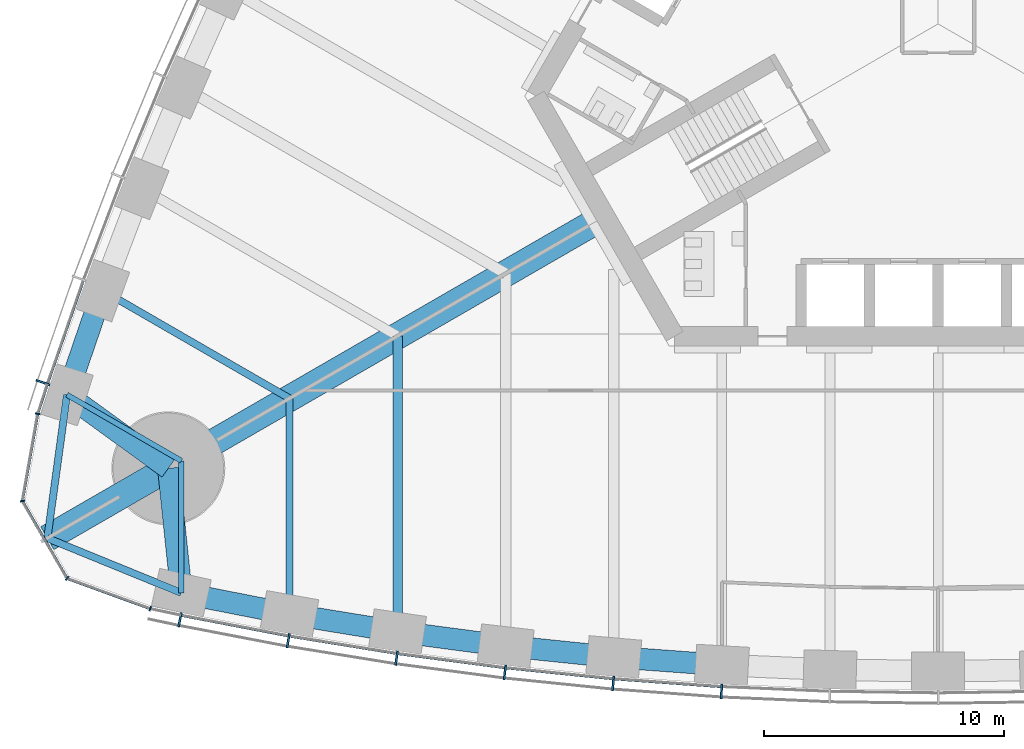
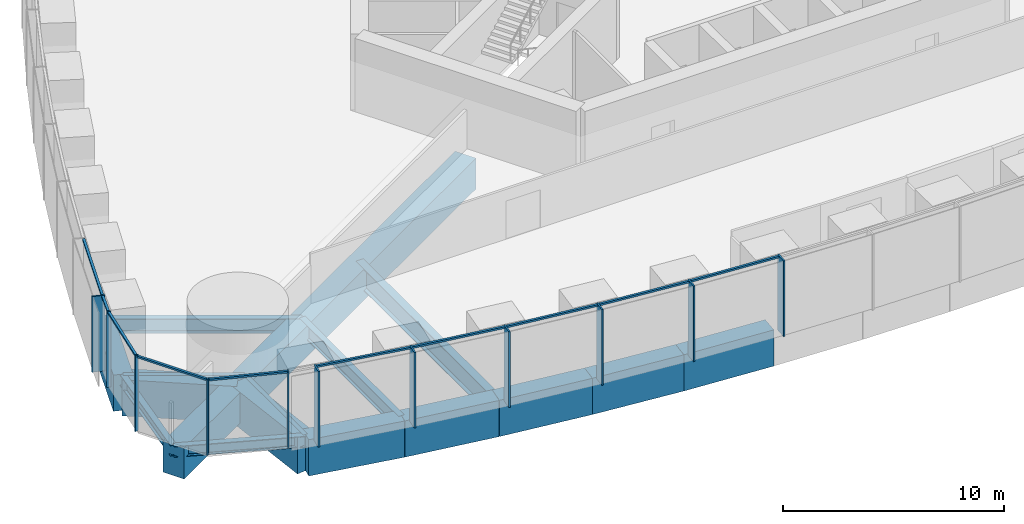
# One storey, part 2 of 19: 21 members, 17 beams, 3 elements without a shape of their own.
"""IFC4 building model written with IfcOpenShell, lengths in metres."""

from ifc_helpers import new_model, si_unit, direction, frame, origin, origin_2d, place, context, subcontext, project, spatial, rectangle, i_section, extrude, material, material_profile, profile_set, type_object, element, aggregate, save


model = new_model("IFC4")

# Units and contexts
model_context = context("Model", 3, precision=1e-05, world=origin(), true_north=direction((0.0, 1.0)))
body_context = subcontext(model_context, "Body", "Model", "MODEL_VIEW")
ifc_project = project(units=[si_unit("LENGTHUNIT", "METRE"), si_unit("AREAUNIT", "SQUARE_METRE"), si_unit("VOLUMEUNIT", "CUBIC_METRE"), si_unit("PLANEANGLEUNIT", "RADIAN"), si_unit("MASSUNIT", "GRAM", prefix="KILO")], contexts=[model_context])

# Site, building, storey
site_placement = place(None, origin())
site = spatial("IfcSite", under=ifc_project, at=site_placement, CompositionType="ELEMENT")
building_placement = place(site_placement, origin())
building = spatial("IfcBuilding", under=site, at=building_placement, Name="Trefoil Bronze Tower", CompositionType="ELEMENT")
storey_placement = place(building_placement, frame((0.0, 0.0, 83.699951171875)))
storey = spatial("IfcBuildingStorey", under=building, at=storey_placement, Name="L19", CompositionType="ELEMENT", Elevation=83.699951171875)

# Curtain wall, members
ifc_material_1 = material(Name="Tinted solar-control glass", Category="glass")
curtain_wall_type_1 = type_object("IfcCurtainWallType", Name="Bronze office curtain wall", PredefinedType="USERDEFINED", material=ifc_material_1)
curtain_wall_1_placement = place(storey_placement, origin())
curtain_wall_1 = element("IfcCurtainWall", 1, at=curtain_wall_1_placement, inside=storey, type_object=curtain_wall_type_1, Name="CW-A L19 F1", ObjectType="CURTAIN WALL", PredefinedType="USERDEFINED")
ifc_material_2 = material(Name="Bronze-finish aluminium", Category="aluminium")
ifc_material_profile_1 = material_profile(ifc_material_2, rectangle(XDim=0.60009765625, YDim=0.080078125, at=origin_2d()), Name="CW-A mullion")
ifc_profile_set_1 = profile_set([ifc_material_profile_1], Name="Bronze-finish aluminium")
member_type_1 = type_object("IfcMemberType", Name="Bronze office curtain wall mullion", PredefinedType="MULLION", material=ifc_profile_set_1)
member_1_placement = place(storey_placement, frame((-31.559326171875, -24.81005859375, 0.0), z_axis=(0.0, 0.0, 1.0), x_axis=(0.197910006829, 0.98022019424, 0.0)))
member_1 = element("IfcMember", 2, at=member_1_placement, type_object=member_type_1, Name="CW-A L19 F1 mullion 2", PredefinedType="MULLION", context=body_context, shape_type="SweptSolid", body=[
    extrude(rectangle(XDim=0.60009765625, YDim=0.080078125, at=origin_2d()), origin(), (0.0, 0.0, 1.0), 4.179931640625),
])
member_2_placement = place(storey_placement, frame((-27.05224609375, -25.67578125, 0.0), z_axis=(0.0, 0.0, 1.0), x_axis=(0.174131146426, 0.984722470468, 0.0)))
member_2 = element("IfcMember", 3, at=member_2_placement, type_object=member_type_1, Name="CW-A L19 F1 mullion 3", PredefinedType="MULLION", context=body_context, shape_type="SweptSolid", body=[
    extrude(rectangle(XDim=0.60009765625, YDim=0.080078125, at=origin_2d()), origin(), (0.0, 0.0, 1.0), 4.179931640625),
])
member_3_placement = place(storey_placement, frame((-22.54345703125, -26.40478515625, 0.0), z_axis=(0.0, 0.0, 1.0), x_axis=(0.145108990094, 0.989415676546, 0.0)))
member_3 = element("IfcMember", 4, at=member_3_placement, type_object=member_type_1, Name="CW-A L19 F1 mullion 4", PredefinedType="MULLION", context=body_context, shape_type="SweptSolid", body=[
    extrude(rectangle(XDim=0.60009765625, YDim=0.080078125, at=origin_2d()), origin(), (0.0, 0.0, 1.0), 4.179931640625),
])
member_4_placement = place(storey_placement, frame((-18.034912109375, -26.99853515625, 0.0), z_axis=(0.0, 0.0, 1.0), x_axis=(0.116086999973, 0.993239048989, 0.0)))
member_4 = element("IfcMember", 5, at=member_4_placement, type_object=member_type_1, Name="CW-A L19 F1 mullion 5", PredefinedType="MULLION", context=body_context, shape_type="SweptSolid", body=[
    extrude(rectangle(XDim=0.60009765625, YDim=0.080078125, at=origin_2d()), origin(), (0.0, 0.0, 1.0), 4.179931640625),
])
member_5_placement = place(storey_placement, frame((-13.526123046875, -27.458984375, 0.0), z_axis=(0.0, 0.0, 1.0), x_axis=(0.087065139456, 0.996202620701, 0.0)))
member_5 = element("IfcMember", 6, at=member_5_placement, type_object=member_type_1, Name="CW-A L19 F1 mullion 6", PredefinedType="MULLION", context=body_context, shape_type="SweptSolid", body=[
    extrude(rectangle(XDim=0.60009765625, YDim=0.080078125, at=origin_2d()), origin(), (0.0, 0.0, 1.0), 4.179931640625),
])
member_6_placement = place(storey_placement, frame((-9.017333984375, -27.786865234375, 0.0), z_axis=(0.0, 0.0, 1.0), x_axis=(0.058043374207, 0.998314062162, 0.0)))
member_6 = element("IfcMember", 7, at=member_6_placement, type_object=member_type_1, Name="CW-A L19 F1 mullion 7", PredefinedType="MULLION", context=body_context, shape_type="SweptSolid", body=[
    extrude(rectangle(XDim=0.60009765625, YDim=0.080078125, at=origin_2d()), origin(), (0.0, 0.0, 1.0), 4.179931640625),
])

# Curtain wall, member
curtain_wall_2_placement = place(storey_placement, origin())
curtain_wall_2 = element("IfcCurtainWall", 8, at=curtain_wall_2_placement, inside=storey, type_object=curtain_wall_type_1, Name="CW-A L19 F3", ObjectType="CURTAIN WALL", PredefinedType="USERDEFINED")
member_7_placement = place(storey_placement, frame((-37.265869140625, -14.92626953125, 0.0), z_axis=(0.0, 0.0, 1.0), x_axis=(0.947850592929, -0.318715003543, 0.0)))
member_7 = element("IfcMember", 9, at=member_7_placement, type_object=member_type_1, Name="CW-A L19 F3 mullion 16", PredefinedType="MULLION", context=body_context, shape_type="SweptSolid", body=[
    extrude(rectangle(XDim=0.60009765625, YDim=0.080078125, at=origin_2d()), origin(), (0.0, 0.0, 1.0), 4.179931640625),
])

# Member
ifc_material_3 = material(Name="Bronze-finish aluminium", Category="aluminium")
ifc_material_profile_2 = material_profile(ifc_material_3, rectangle(XDim=0.1201171875, YDim=0.10009765625, at=origin_2d()), Name="CW-A transom")
ifc_profile_set_2 = profile_set([ifc_material_profile_2], Name="Bronze-finish aluminium")
member_type_2 = type_object("IfcMemberType", Name="Bronze office curtain wall transom", PredefinedType="USERDEFINED", material=ifc_profile_set_2)
member_8_placement = place(storey_placement, frame((-31.4794921875, -24.621826171875, 4.130126953125), z_axis=(0.982053603997, -0.188602011855, 0.0), x_axis=(0.188602011855, 0.982053603997, 0.0)))
member_8 = element("IfcMember", 10, at=member_8_placement, type_object=member_type_2, Name="CW-A L19 F1 transom 2", ObjectType="TRANSOM", PredefinedType="USERDEFINED", context=body_context, shape_type="SweptSolid", body=[
    extrude(rectangle(XDim=0.1201171875, YDim=0.10009765625, at=origin_2d()), origin(), (0.0, 0.0, 1.0), 4.502197265625),
])

member_9_placement = place(storey_placement, frame((-26.9765625, -25.4853515625, 4.130126953125), z_axis=(0.987179401487, -0.159614627398, 0.0), x_axis=(0.159614627398, 0.987179401487, 0.0)))
member_9 = element("IfcMember", 11, at=member_9_placement, type_object=member_type_2, Name="CW-A L19 F1 transom 3", ObjectType="TRANSOM", PredefinedType="USERDEFINED", context=body_context, shape_type="SweptSolid", body=[
    extrude(rectangle(XDim=0.1201171875, YDim=0.10009765625, at=origin_2d()), origin(), (0.0, 0.0, 1.0), 4.478515625),
])

member_10_placement = place(storey_placement, frame((-22.473388671875, -26.212158203125, 4.130126953125), z_axis=(0.991436581643, -0.13058906761, 0.0), x_axis=(0.13058906761, 0.991436581643, 0.0)))
member_10 = element("IfcMember", 12, at=member_10_placement, type_object=member_type_2, Name="CW-A L19 F1 transom 4", ObjectType="TRANSOM", PredefinedType="USERDEFINED", context=body_context, shape_type="SweptSolid", body=[
    extrude(rectangle(XDim=0.1201171875, YDim=0.10009765625, at=origin_2d()), origin(), (0.0, 0.0, 1.0), 4.458740234375),
])

member_11_placement = place(storey_placement, frame((-17.970458984375, -26.80419921875, 4.130126953125), z_axis=(0.994831650915, -0.101538102888, 0.0), x_axis=(0.101538102888, 0.994831650915, 0.0)))
member_11 = element("IfcMember", 13, at=member_11_placement, type_object=member_type_2, Name="CW-A L19 F1 transom 5", ObjectType="TRANSOM", PredefinedType="USERDEFINED", context=body_context, shape_type="SweptSolid", body=[
    extrude(rectangle(XDim=0.1201171875, YDim=0.10009765625, at=origin_2d()), origin(), (0.0, 0.0, 1.0), 4.443359375),
])

member_12_placement = place(storey_placement, frame((-13.46728515625, -27.2626953125, 4.130126953125), z_axis=(0.997364729945, -0.07255064067, 0.0), x_axis=(0.07255064067, 0.997364729945, 0.0)))
member_12 = element("IfcMember", 14, at=member_12_placement, type_object=member_type_2, Name="CW-A L19 F1 transom 6", ObjectType="TRANSOM", PredefinedType="USERDEFINED", context=body_context, shape_type="SweptSolid", body=[
    extrude(rectangle(XDim=0.1201171875, YDim=0.10009765625, at=origin_2d()), origin(), (0.0, 0.0, 1.0), 4.431884765625),
])

aggregate(curtain_wall_1, [member_1, member_2, member_3, member_4, member_5, member_6, member_8, member_9, member_10, member_11, member_12])

member_13_placement = place(storey_placement, frame((-35.587646484375, -10.697509765625, 4.130126953125), z_axis=(-0.327689728493, -0.944785394595, 0.0), x_axis=(0.944785394595, -0.327689728493, 0.0)))
member_13 = element("IfcMember", 15, at=member_13_placement, type_object=member_type_2, Name="CW-A L19 F3 transom 15", ObjectType="TRANSOM", PredefinedType="USERDEFINED", context=body_context, shape_type="SweptSolid", body=[
    extrude(rectangle(XDim=0.1201171875, YDim=0.10009765625, at=origin_2d()), origin(), (0.0, 0.0, 1.0), 4.502197265625),
])

member_14_placement = place(storey_placement, frame((-37.089111328125, -15.02880859375, 4.130126953125), z_axis=(-0.309624219148, -0.950859002648, 0.0), x_axis=(0.950859002648, -0.309624219148, 0.0)))
member_14 = element("IfcMember", 16, at=member_14_placement, type_object=member_type_2, Name="CW-A L19 F3 transom 16", ObjectType="TRANSOM", PredefinedType="USERDEFINED", context=body_context, shape_type="SweptSolid", body=[
    extrude(rectangle(XDim=0.1201171875, YDim=0.10009765625, at=origin_2d()), origin(), (0.0, 0.0, 1.0), 1.21044921875),
])

aggregate(curtain_wall_2, [member_7, member_13, member_14])

# Curtain wall, members
ifc_material_4 = material(Name="Tinted solar-control glass", Category="glass")
curtain_wall_type_2 = type_object("IfcCurtainWallType", Name="Bronze rounded corner curtain wall", PredefinedType="USERDEFINED", material=ifc_material_4)
curtain_wall_3_placement = place(storey_placement, origin())
curtain_wall_3 = element("IfcCurtainWall", 17, at=curtain_wall_3_placement, inside=storey, type_object=curtain_wall_type_2, Name="CW-B L19 K3", ObjectType="CURTAIN WALL", PredefinedType="USERDEFINED")
ifc_material_5 = material(Name="Bronze-finish aluminium", Category="aluminium")
ifc_material_profile_3 = material_profile(ifc_material_5, rectangle(XDim=0.199951171875, YDim=0.06005859375, at=origin_2d()), Name="CW-B mullion")
ifc_profile_set_3 = profile_set([ifc_material_profile_3], Name="Bronze-finish aluminium")
member_type_3 = type_object("IfcMemberType", Name="Bronze rounded corner curtain wall mullion", PredefinedType="MULLION", material=ifc_profile_set_3)
member_15_placement = place(storey_placement, frame((-37.479736328125, -16.2314453125, 0.0), z_axis=(0.0, 0.0, 1.0), x_axis=(0.984807753012, -0.173648177667, 0.0)))
member_15 = element("IfcMember", 18, at=member_15_placement, type_object=member_type_3, Name="CW-B L19 K3 mullion 1", PredefinedType="MULLION", context=body_context, shape_type="SweptSolid", body=[
    extrude(rectangle(XDim=0.199951171875, YDim=0.06005859375, at=origin_2d()), origin(), (0.0, 0.0, 1.0), 4.179931640625),
])
member_16_placement = place(storey_placement, frame((-38.11328125, -19.85888671875, 0.0), z_axis=(0.0, 0.0, 1.0), x_axis=(0.984807753012, 0.173648177667, 0.0)))
member_16 = element("IfcMember", 19, at=member_16_placement, type_object=member_type_3, Name="CW-B L19 K3 mullion 2", PredefinedType="MULLION", context=body_context, shape_type="SweptSolid", body=[
    extrude(rectangle(XDim=0.199951171875, YDim=0.06005859375, at=origin_2d()), origin(), (0.0, 0.0, 1.0), 4.179931640625),
])
member_17_placement = place(storey_placement, frame((-36.2548828125, -23.07763671875, 0.0), z_axis=(0.0, 0.0, 1.0), x_axis=(0.642787609687, 0.766044443119, 0.0)))
member_17 = element("IfcMember", 20, at=member_17_placement, type_object=member_type_3, Name="CW-B L19 K3 mullion 3", PredefinedType="MULLION", context=body_context, shape_type="SweptSolid", body=[
    extrude(rectangle(XDim=0.199951171875, YDim=0.06005859375, at=origin_2d()), origin(), (0.0, 0.0, 1.0), 4.179931640625),
])
member_18_placement = place(storey_placement, frame((-32.796630859375, -24.3427734375, 0.0), z_axis=(0.0, 0.0, 1.0), x_axis=(0.342020143326, 0.939692620786, 0.0)))
member_18 = element("IfcMember", 21, at=member_18_placement, type_object=member_type_3, Name="CW-B L19 K3 mullion 4", PredefinedType="MULLION", context=body_context, shape_type="SweptSolid", body=[
    extrude(rectangle(XDim=0.199951171875, YDim=0.06005859375, at=origin_2d()), origin(), (0.0, 0.0, 1.0), 4.179931640625),
])
ifc_material_6 = material(Name="Bronze-finish aluminium", Category="aluminium")
ifc_material_profile_4 = material_profile(ifc_material_6, rectangle(XDim=0.1201171875, YDim=0.10009765625, at=origin_2d()), Name="CW-B transom")
ifc_profile_set_4 = profile_set([ifc_material_profile_4], Name="Bronze-finish aluminium")
member_type_4 = type_object("IfcMemberType", Name="Bronze rounded corner curtain wall transom", PredefinedType="USERDEFINED", material=ifc_profile_set_4)
member_19_placement = place(storey_placement, frame((-37.48486328125, -16.260986328125, 4.130126953125), z_axis=(-0.17363783606, -0.984809576461, 0.0), x_axis=(0.984809576461, -0.17363783606, 0.0)))
member_19 = element("IfcMember", 22, at=member_19_placement, type_object=member_type_4, Name="CW-B L19 K3 transom 1", ObjectType="TRANSOM", PredefinedType="USERDEFINED", context=body_context, shape_type="SweptSolid", body=[
    extrude(rectangle(XDim=0.1201171875, YDim=0.10009765625, at=origin_2d()), origin(), (0.0, 0.0, 1.0), 3.588134765625),
])
member_20_placement = place(storey_placement, frame((-38.08642578125, -19.91748046875, 4.130126953125), z_axis=(0.500024788772, -0.866011091507, 0.0), x_axis=(0.866011091507, 0.500024788772, 0.0)))
member_20 = element("IfcMember", 23, at=member_20_placement, type_object=member_type_4, Name="CW-B L19 K3 transom 2", ObjectType="TRANSOM", PredefinedType="USERDEFINED", context=body_context, shape_type="SweptSolid", body=[
    extrude(rectangle(XDim=0.1201171875, YDim=0.10009765625, at=origin_2d()), origin(), (0.0, 0.0, 1.0), 3.588134765625),
])
member_21_placement = place(storey_placement, frame((-36.196533203125, -23.105224609375, 4.130126953125), z_axis=(0.939688092095, -0.342032585545, 0.0), x_axis=(0.342032585545, 0.939688092095, 0.0)))
member_21 = element("IfcMember", 24, at=member_21_placement, type_object=member_type_4, Name="CW-B L19 K3 transom 3", ObjectType="TRANSOM", PredefinedType="USERDEFINED", context=body_context, shape_type="SweptSolid", body=[
    extrude(rectangle(XDim=0.1201171875, YDim=0.10009765625, at=origin_2d()), origin(), (0.0, 0.0, 1.0), 3.588134765625),
])
aggregate(curtain_wall_3, [member_15, member_16, member_17, member_18, member_19, member_20, member_21])

# Beams
ifc_material_7 = material(Name="Concrete B80", Category="concrete")
ifc_material_profile_5 = material_profile(ifc_material_7, rectangle(XDim=1.10009765625, YDim=1.699951171875, at=origin_2d()), Name="RC 1100x1700")
ifc_profile_set_5 = profile_set([ifc_material_profile_5], Name="Concrete B80")
beam_type_1 = type_object("IfcBeamType", Name="Corner cantilever RC 1100x1700", PredefinedType="BEAM", material=ifc_profile_set_5)
beam_1_placement = place(storey_placement, frame((-32.04296875, -18.5, -1.050048828125), z_axis=(-0.866030348588, -0.499991435252, 0.0), x_axis=(0.499991435252, -0.866030348588, 0.0)))
element("IfcBeam", 25, at=beam_1_placement, inside=storey, type_object=beam_type_1, Name="Corner cantilever K3 L19", PredefinedType="BEAM", context=body_context, shape_type="SweptSolid", body=[
    extrude(rectangle(XDim=1.10009765625, YDim=1.699951171875, at=origin_2d()), origin(), (0.0, 0.0, 1.0), 5.81396484375),
])
ifc_material_8 = material(Name="Steel C355", Category="steel")
ifc_material_profile_6 = material_profile(ifc_material_8, i_section(OverallWidth=0.300048828125, OverallDepth=0.60009765625, WebThickness=0.015380859375, FlangeThickness=0.030029296875, FilletRadius=0.027099609375, at=origin_2d()), Name="HEB 600")
ifc_profile_set_6 = profile_set([ifc_material_profile_6], Name="Steel C355")
beam_type_2 = type_object("IfcBeamType", Name="Corner edge beam HEB 600", PredefinedType="BEAM", material=ifc_profile_set_6)
beam_2_placement = place(storey_placement, frame((-31.5, -23.684814453125, -0.5), z_axis=(-0.925786874353, 0.378045848114, 0.0), x_axis=(-0.378045848114, -0.925786874353, 0.0)))
element("IfcBeam", 26, at=beam_2_placement, inside=storey, type_object=beam_type_2, Name="Corner edge beam F1B L19", PredefinedType="BEAM", context=body_context, shape_type="SweptSolid", body=[
    extrude(i_section(OverallWidth=0.300048828125, OverallDepth=0.60009765625, WebThickness=0.015380859375, FlangeThickness=0.030029296875, FilletRadius=0.027099609375, at=origin_2d()), origin(), (0.0, 0.0, 1.0), 6.025390625),
])
beam_3_placement = place(storey_placement, frame((-36.26171875, -15.4375, -0.5), z_axis=(-0.13550196505, -0.990777077585, 0.0), x_axis=(0.990777077585, -0.13550196505, 0.0)))
element("IfcBeam", 27, at=beam_3_placement, inside=storey, type_object=beam_type_2, Name="Corner edge beam F3A L19", PredefinedType="BEAM", context=body_context, shape_type="SweptSolid", body=[
    extrude(i_section(OverallWidth=0.300048828125, OverallDepth=0.60009765625, WebThickness=0.015380859375, FlangeThickness=0.030029296875, FilletRadius=0.027099609375, at=origin_2d()), origin(), (0.0, 0.0, 1.0), 6.025146484375),
])
ifc_material_9 = material(Name="Concrete B80", Category="concrete")
ifc_material_profile_7 = material_profile(ifc_material_9, rectangle(XDim=1.10009765625, YDim=1.699951171875, at=origin_2d()), Name="RC 1100x1700")
ifc_profile_set_7 = profile_set([ifc_material_profile_7], Name="Concrete B80")
beam_type_3 = type_object("IfcBeamType", Name="Corner girder RC 1100x1700", PredefinedType="BEAM", material=ifc_profile_set_7)
beam_4_placement = place(storey_placement, frame((-14.202880859375, -8.199951171875, -1.050048828125), z_axis=(-0.866023947468, -0.500002522405, 0.0), x_axis=(0.500002522405, -0.866023947468, 0.0)))
element("IfcBeam", 28, at=beam_4_placement, inside=storey, type_object=beam_type_3, Name="Corner girder K3 L19", PredefinedType="BEAM", context=body_context, shape_type="SweptSolid", body=[
    extrude(rectangle(XDim=1.10009765625, YDim=1.699951171875, at=origin_2d()), origin(), (0.0, 0.0, 1.0), 20.60009765625),
])
ifc_material_10 = material(Name="Concrete B80", Category="concrete")
ifc_material_profile_8 = material_profile(ifc_material_10, rectangle(XDim=0.89990234375, YDim=2.0, at=origin_2d()), Name="RC 900x2000")
ifc_profile_set_8 = profile_set([ifc_material_profile_8], Name="Concrete B80")
beam_type_4 = type_object("IfcBeamType", Name="End spandrel beam RC 900x2000", PredefinedType="SPANDREL", material=ifc_profile_set_8)
for number, where, z_axis, x_axis, name in (
    (29, (-32.04296875, -18.5, -1.199951171875), (0.104153327908, -0.994561252154, 0.0), (0.994561252154, 0.104153327908, 0.0), "Spandrel F1.1 L19"),
    (30, (-36.26171875, -15.4375, -1.199951171875), (0.809254211267, -0.587458612624, 0.0), (0.587458612624, 0.809254211267, 0.0), "Spandrel F3.16 L19"),
):
    element("IfcBeam", number, at=place(storey_placement, frame(where, z_axis=z_axis, x_axis=x_axis)), inside=storey, type_object=beam_type_4, Name=name, PredefinedType="SPANDREL", context=body_context, shape_type="SweptSolid", body=[
        extrude(rectangle(XDim=0.89990234375, YDim=2.0, at=origin_2d()), origin(), (0.0, 0.0, 1.0), 5.213134765625),
    ])
ifc_material_11 = material(Name="Steel C355", Category="steel")
ifc_material_profile_9 = material_profile(ifc_material_11, i_section(OverallWidth=0.300048828125, OverallDepth=0.800048828125, WebThickness=0.017578125, FlangeThickness=0.032958984375, FilletRadius=0.030029296875, at=origin_2d()), Name="HEB 800")
ifc_profile_set_9 = profile_set([ifc_material_profile_9], Name="Steel C355")
beam_type_5 = type_object("IfcBeamType", Name="Floor beam HEB 800", PredefinedType="BEAM", material=ifc_profile_set_9)
for number, where, z_axis, x_axis, name in (
    (31, (-27.0, -24.56787109375, -0.599853515625), (0.0, 1.0, 0.0), (-1.0, 0.0, 0.0), "Floor beam F1/-6 L19"),
    (32, (-34.7763671875, -11.0986328125, -0.599853515625), (0.866022587327, -0.500004878216, 0.0), (0.500004878216, 0.866022587327, 0.0), "Floor beam F3/+6 L19"),
):
    element("IfcBeam", number, at=place(storey_placement, frame(where, z_axis=z_axis, x_axis=x_axis)), inside=storey, type_object=beam_type_5, Name=name, PredefinedType="BEAM", context=body_context, shape_type="SweptSolid", body=[
        extrude(i_section(OverallWidth=0.300048828125, OverallDepth=0.800048828125, WebThickness=0.017578125, FlangeThickness=0.032958984375, FilletRadius=0.030029296875, at=origin_2d()), origin(), (0.0, 0.0, 1.0), 8.9794921875),
    ])
ifc_material_12 = material(Name="Steel C355", Category="steel")
ifc_material_profile_10 = material_profile(ifc_material_12, i_section(OverallWidth=0.219970703125, OverallDepth=0.60009765625, WebThickness=0.011962890625, FlangeThickness=0.01904296875, FilletRadius=0.02392578125, at=origin_2d()), Name="IPE 600")
ifc_profile_set_10 = profile_set([ifc_material_profile_10], Name="Steel C355")
beam_type_6 = type_object("IfcBeamType", Name="Floor beam IPE 600", PredefinedType="BEAM", material=ifc_profile_set_10)
for number, where, z_axis, x_axis, name in (
    (33, (-31.5, -23.684814453125, -0.5), (0.0, 1.0, 0.0), (-1.0, 0.0, 0.0), "Floor beam F1/-7 L19"),
    (34, (-36.26171875, -15.4375, -0.5), (0.866037702141, -0.499978698016, 0.0), (0.499978698016, 0.866037702141, 0.0), "Floor beam F3/+7 L19"),
):
    element("IfcBeam", number, at=place(storey_placement, frame(where, z_axis=z_axis, x_axis=x_axis)), inside=storey, type_object=beam_type_6, Name=name, PredefinedType="BEAM", context=body_context, shape_type="SweptSolid", body=[
        extrude(i_section(OverallWidth=0.219970703125, OverallDepth=0.60009765625, WebThickness=0.011962890625, FlangeThickness=0.01904296875, FilletRadius=0.02392578125, at=origin_2d()), origin(), (0.0, 0.0, 1.0), 5.498291015625),
    ])
ifc_material_13 = material(Name="Steel C355", Category="steel")
ifc_material_profile_11 = material_profile(ifc_material_13, i_section(OverallWidth=0.39990234375, OverallDepth=1.199951171875, WebThickness=0.02001953125, FlangeThickness=0.0400390625, FilletRadius=0.010009765625, at=origin_2d()), Name="WPG 1200")
ifc_profile_set_11 = profile_set([ifc_material_profile_11], Name="Steel C355")
beam_type_7 = type_object("IfcBeamType", Name="Floor beam WPG 1200", PredefinedType="BEAM", material=ifc_profile_set_11)
beam_5_placement = place(storey_placement, frame((-22.5, -25.29931640625, -0.800048828125), z_axis=(0.0, 1.0, 0.0), x_axis=(-1.0, 0.0, 0.0)))
element("IfcBeam", 35, at=beam_5_placement, inside=storey, type_object=beam_type_7, Name="Floor beam F1/-5 L19", PredefinedType="BEAM", context=body_context, shape_type="SweptSolid", body=[
    extrude(i_section(OverallWidth=0.39990234375, OverallDepth=1.199951171875, WebThickness=0.02001953125, FlangeThickness=0.0400390625, FilletRadius=0.010009765625, at=origin_2d()), origin(), (0.0, 0.0, 1.0), 12.308837890625),
])
ifc_material_14 = material(Name="Concrete B80", Category="concrete")
ifc_material_profile_12 = material_profile(ifc_material_14, rectangle(XDim=0.89990234375, YDim=2.0, at=origin_2d()), Name="RC 900x2000")
ifc_profile_set_12 = profile_set([ifc_material_profile_12], Name="Concrete B80")
beam_type_8 = type_object("IfcBeamType", Name="Spandrel beam RC 900x2000", PredefinedType="SPANDREL", material=ifc_profile_set_12)
beam_6_placement = place(storey_placement, frame((-31.5, -23.684814453125, -1.199951171875), z_axis=(0.981284764092, -0.192562228283, 0.0), x_axis=(0.192562228283, 0.981284764092, 0.0)))
element("IfcBeam", 36, at=beam_6_placement, inside=storey, type_object=beam_type_8, Name="Spandrel F1.2 L19", PredefinedType="SPANDREL", context=body_context, shape_type="SweptSolid", body=[
    extrude(rectangle(XDim=0.89990234375, YDim=2.0, at=origin_2d()), origin(), (0.0, 0.0, 1.0), 4.5859375),
])
beam_7_placement = place(storey_placement, frame((-27.0, -24.56787109375, -1.199951171875), z_axis=(0.987045951254, -0.160437807615, 0.0), x_axis=(0.160437807615, 0.987045951254, 0.0)))
element("IfcBeam", 37, at=beam_7_placement, inside=storey, type_object=beam_type_8, Name="Spandrel F1.3 L19", PredefinedType="SPANDREL", context=body_context, shape_type="SweptSolid", body=[
    extrude(rectangle(XDim=0.89990234375, YDim=2.0, at=origin_2d()), origin(), (0.0, 0.0, 1.0), 4.55908203125),
])
beam_8_placement = place(storey_placement, frame((-22.5, -25.29931640625, -1.199951171875), z_axis=(0.991344474846, -0.131286450906, 0.0), x_axis=(0.131286450906, 0.991344474846, 0.0)))
element("IfcBeam", 38, at=beam_8_placement, inside=storey, type_object=beam_type_8, Name="Spandrel F1.4 L19", PredefinedType="SPANDREL", context=body_context, shape_type="SweptSolid", body=[
    extrude(rectangle(XDim=0.89990234375, YDim=2.0, at=origin_2d()), origin(), (0.0, 0.0, 1.0), 4.539306640625),
])
beam_9_placement = place(storey_placement, frame((-18.0, -25.895263671875, -1.199951171875), z_axis=(0.994778488621, -0.102057623805, 0.0), x_axis=(0.102057623805, 0.994778488621, 0.0)))
element("IfcBeam", 39, at=beam_9_placement, inside=storey, type_object=beam_type_8, Name="Spandrel F1.5 L19", PredefinedType="SPANDREL", context=body_context, shape_type="SweptSolid", body=[
    extrude(rectangle(XDim=0.89990234375, YDim=2.0, at=origin_2d()), origin(), (0.0, 0.0, 1.0), 4.523681640625),
])
beam_10_placement = place(storey_placement, frame((-13.5, -26.35693359375, -1.199951171875), z_axis=(0.997336412354, -0.072938882588, 0.0), x_axis=(0.072938882588, 0.997336412354, 0.0)))
element("IfcBeam", 40, at=beam_10_placement, inside=storey, type_object=beam_type_8, Name="Spandrel F1.6 L19", PredefinedType="SPANDREL", context=body_context, shape_type="SweptSolid", body=[
    extrude(rectangle(XDim=0.89990234375, YDim=2.0, at=origin_2d()), origin(), (0.0, 0.0, 1.0), 4.511962890625),
])
beam_11_placement = place(storey_placement, frame((-34.7763671875, -11.0986328125, -1.199951171875), z_axis=(-0.323883319148, -0.946097032855, 0.0), x_axis=(0.946097032855, -0.323883319148, 0.0)))
element("IfcBeam", 41, at=beam_11_placement, inside=storey, type_object=beam_type_8, Name="Spandrel F3.15 L19", PredefinedType="SPANDREL", context=body_context, shape_type="SweptSolid", body=[
    extrude(rectangle(XDim=0.89990234375, YDim=2.0, at=origin_2d()), origin(), (0.0, 0.0, 1.0), 4.586181640625),
])

save(model, "model.ifc")
